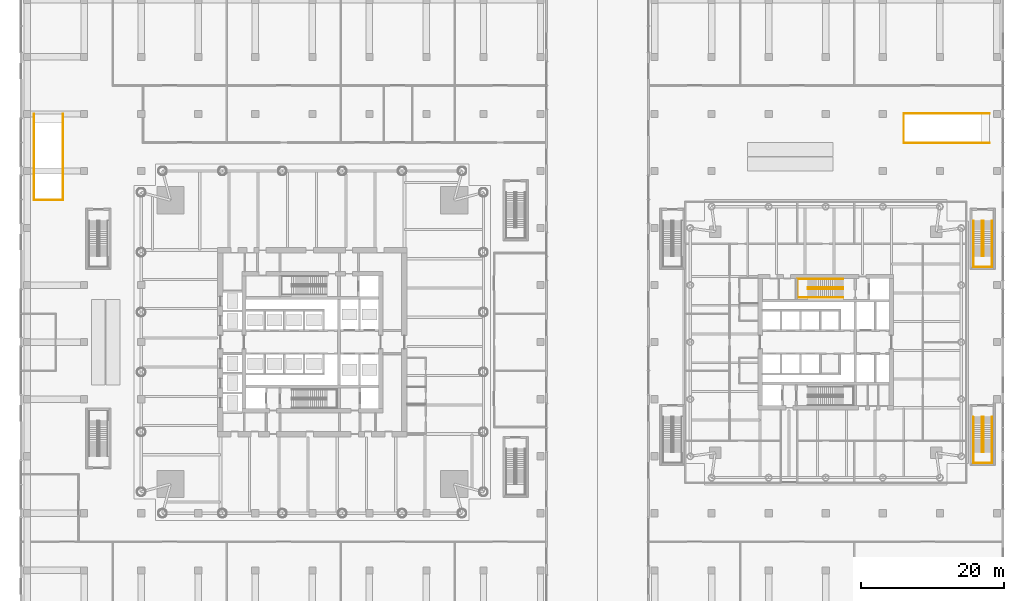
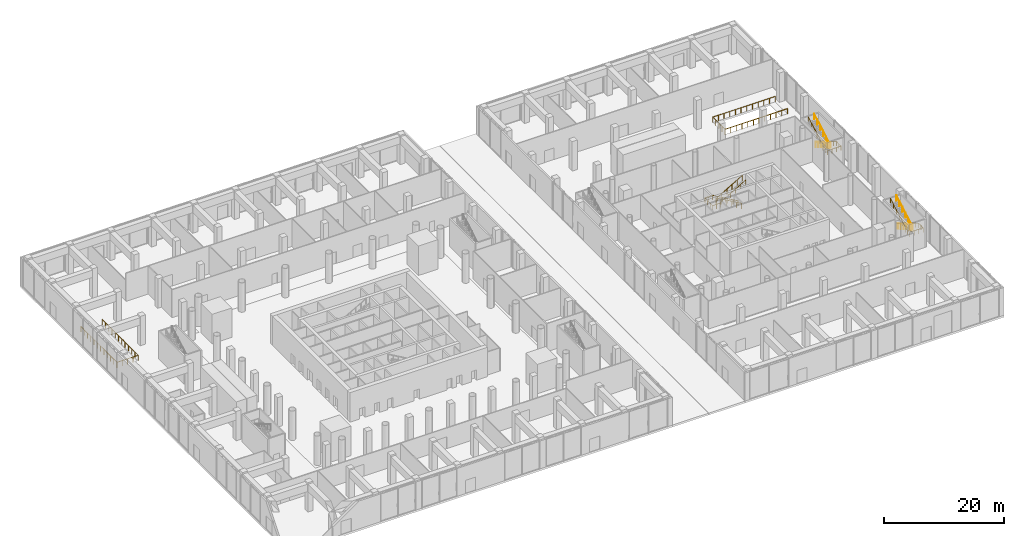
# One storey, part 38 of 39: 8 railings.
"""IFC4 building model written with IfcOpenShell, lengths in metres."""

from ifc_helpers import new_model, si_unit, direction, frame, origin, origin_2d, place, context, subcontext, project, spatial, circle, extrude, material, type_object, element, save


model = new_model("IFC4")

# Units and contexts
model_context = context("Model", 3, precision=1e-05, world=origin(), true_north=direction((0.0, 1.0)))
body_context = subcontext(model_context, "Body", "Model", "MODEL_VIEW")
ifc_project = project(units=[si_unit("LENGTHUNIT", "METRE"), si_unit("AREAUNIT", "SQUARE_METRE"), si_unit("VOLUMEUNIT", "CUBIC_METRE"), si_unit("PLANEANGLEUNIT", "RADIAN"), si_unit("MASSUNIT", "GRAM", prefix="KILO")], contexts=[model_context])

# Site, building, storey
site_placement = place(None, origin())
site = spatial("IfcSite", under=ifc_project, at=site_placement, CompositionType="ELEMENT")
building_placement = place(site_placement, origin())
building = spatial("IfcBuilding", under=site, at=building_placement, Name="Ostroluk Exchange", CompositionType="ELEMENT")
storey_placement = place(building_placement, origin())
storey = spatial("IfcBuildingStorey", under=building, at=storey_placement, Name="L00", CompositionType="ELEMENT", Elevation=0.0)

# Railings
ifc_material_1 = material(Name="Laminated glass", Category="glass")
railing_type_1 = type_object("IfcRailingType", Name="Glass balustrade guard 1100", PredefinedType="BALUSTRADE", material=ifc_material_1)
railing_1_placement = place(storey_placement, frame((5.949951171875, 78.0, 0.0)))
element("IfcRailing", 1, at=railing_1_placement, inside=storey, type_object=railing_type_1, Name="Escalator ES1 opening guard", PredefinedType="BALUSTRADE", context=body_context, shape_type="SweptSolid", body=[
    extrude(circle(Radius=0.02392578125, at=origin_2d()), frame((0.0, 0.0, 1.076171875), z_axis=(0.0, -1.0, 0.0), x_axis=(1.0, 0.0, 0.0)), (0.0, 0.0, 1.0), 12.050048828125),
    extrude(circle(Radius=0.02392578125, at=origin_2d()), frame((0.0, -12.050048828125, 1.076171875), z_axis=(1.0, 0.0, 0.0), x_axis=(0.0, 1.0, 0.0)), (0.0, 0.0, 1.0), 4.10009765625),
    extrude(circle(Radius=0.02392578125, at=origin_2d()), frame((4.10009765625, -12.050048828125, 1.076171875), z_axis=(0.0, 1.0, 0.0), x_axis=(-1.0, 0.0, 0.0)), (0.0, 0.0, 1.0), 12.050048828125),
    extrude(circle(Radius=0.02099609375, at=origin_2d()), origin(), (0.0, 0.0, 1.0), 1.052001953125),
    extrude(circle(Radius=0.02099609375, at=origin_2d()), frame((0.0, -1.095458984375, 0.0)), (0.0, 0.0, 1.0), 1.052001953125),
    extrude(circle(Radius=0.02099609375, at=origin_2d()), frame((0.0, -2.19091796875, 0.0)), (0.0, 0.0, 1.0), 1.052001953125),
    extrude(circle(Radius=0.02099609375, at=origin_2d()), frame((0.0, -3.286376953125, 0.0)), (0.0, 0.0, 1.0), 1.052001953125),
    extrude(circle(Radius=0.02099609375, at=origin_2d()), frame((0.0, -4.3818359375, 0.0)), (0.0, 0.0, 1.0), 1.052001953125),
    extrude(circle(Radius=0.02099609375, at=origin_2d()), frame((0.0, -5.477294921875, 0.0)), (0.0, 0.0, 1.0), 1.052001953125),
    extrude(circle(Radius=0.02099609375, at=origin_2d()), frame((0.0, -6.57275390625, 0.0)), (0.0, 0.0, 1.0), 1.052001953125),
    extrude(circle(Radius=0.02099609375, at=origin_2d()), frame((0.0, -7.668212890625, 0.0)), (0.0, 0.0, 1.0), 1.052001953125),
    extrude(circle(Radius=0.02099609375, at=origin_2d()), frame((0.0, -8.763671875, 0.0)), (0.0, 0.0, 1.0), 1.052001953125),
    extrude(circle(Radius=0.02099609375, at=origin_2d()), frame((0.0, -9.859130859375, 0.0)), (0.0, 0.0, 1.0), 1.052001953125),
    extrude(circle(Radius=0.02099609375, at=origin_2d()), frame((0.0, -10.95458984375, 0.0)), (0.0, 0.0, 1.0), 1.052001953125),
    extrude(circle(Radius=0.02099609375, at=origin_2d()), frame((0.0, -12.050048828125, 0.0)), (0.0, 0.0, 1.0), 1.052001953125),
    extrude(circle(Radius=0.02099609375, at=origin_2d()), frame((1.02490234375, -12.050048828125, 0.0)), (0.0, 0.0, 1.0), 1.052001953125),
    extrude(circle(Radius=0.02099609375, at=origin_2d()), frame((2.050048828125, -12.050048828125, 0.0)), (0.0, 0.0, 1.0), 1.052001953125),
    extrude(circle(Radius=0.02099609375, at=origin_2d()), frame((3.0751953125, -12.050048828125, 0.0)), (0.0, 0.0, 1.0), 1.052001953125),
    extrude(circle(Radius=0.02099609375, at=origin_2d()), frame((4.10009765625, -12.050048828125, 0.0)), (0.0, 0.0, 1.0), 1.052001953125),
    extrude(circle(Radius=0.02099609375, at=origin_2d()), frame((4.10009765625, -10.95458984375, 0.0)), (0.0, 0.0, 1.0), 1.052001953125),
    extrude(circle(Radius=0.02099609375, at=origin_2d()), frame((4.10009765625, -9.859130859375, 0.0)), (0.0, 0.0, 1.0), 1.052001953125),
    extrude(circle(Radius=0.02099609375, at=origin_2d()), frame((4.10009765625, -8.763671875, 0.0)), (0.0, 0.0, 1.0), 1.052001953125),
    extrude(circle(Radius=0.02099609375, at=origin_2d()), frame((4.10009765625, -7.668212890625, 0.0)), (0.0, 0.0, 1.0), 1.052001953125),
    extrude(circle(Radius=0.02099609375, at=origin_2d()), frame((4.10009765625, -6.57275390625, 0.0)), (0.0, 0.0, 1.0), 1.052001953125),
    extrude(circle(Radius=0.02099609375, at=origin_2d()), frame((4.10009765625, -5.477294921875, 0.0)), (0.0, 0.0, 1.0), 1.052001953125),
    extrude(circle(Radius=0.02099609375, at=origin_2d()), frame((4.10009765625, -4.3818359375, 0.0)), (0.0, 0.0, 1.0), 1.052001953125),
    extrude(circle(Radius=0.02099609375, at=origin_2d()), frame((4.10009765625, -3.286376953125, 0.0)), (0.0, 0.0, 1.0), 1.052001953125),
    extrude(circle(Radius=0.02099609375, at=origin_2d()), frame((4.10009765625, -2.19091796875, 0.0)), (0.0, 0.0, 1.0), 1.052001953125),
    extrude(circle(Radius=0.02099609375, at=origin_2d()), frame((4.10009765625, -1.095458984375, 0.0)), (0.0, 0.0, 1.0), 1.052001953125),
    extrude(circle(Radius=0.02099609375, at=origin_2d()), frame((4.10009765625, 0.0, 0.0)), (0.0, 0.0, 1.0), 1.052001953125),
])
railing_2_placement = place(storey_placement, frame((140.0, 73.949951171875, 0.0)))
element("IfcRailing", 2, at=railing_2_placement, inside=storey, type_object=railing_type_1, Name="Escalator ES4 opening guard", PredefinedType="BALUSTRADE", context=body_context, shape_type="SweptSolid", body=[
    extrude(circle(Radius=0.02392578125, at=origin_2d()), frame((0.0, 0.0, 1.076171875), z_axis=(-1.0, 0.0, 0.0), x_axis=(0.0, -1.0, 0.0)), (0.0, 0.0, 1.0), 12.050048828125),
    extrude(circle(Radius=0.02392578125, at=origin_2d()), frame((-12.050048828125, 0.0, 1.076171875), z_axis=(0.0, 1.0, 0.0), x_axis=(-1.0, 0.0, 0.0)), (0.0, 0.0, 1.0), 4.10009765625),
    extrude(circle(Radius=0.02392578125, at=origin_2d()), frame((-12.050048828125, 4.10009765625, 1.076171875), z_axis=(1.0, 0.0, 0.0), x_axis=(0.0, 1.0, 0.0)), (0.0, 0.0, 1.0), 12.050048828125),
    extrude(circle(Radius=0.02099609375, at=origin_2d()), origin(), (0.0, 0.0, 1.0), 1.052001953125),
    extrude(circle(Radius=0.02099609375, at=origin_2d()), frame((-1.095458984375, 0.0, 0.0)), (0.0, 0.0, 1.0), 1.052001953125),
    extrude(circle(Radius=0.02099609375, at=origin_2d()), frame((-2.19091796875, 0.0, 0.0)), (0.0, 0.0, 1.0), 1.052001953125),
    extrude(circle(Radius=0.02099609375, at=origin_2d()), frame((-3.286376953125, 0.0, 0.0)), (0.0, 0.0, 1.0), 1.052001953125),
    extrude(circle(Radius=0.02099609375, at=origin_2d()), frame((-4.3818359375, 0.0, 0.0)), (0.0, 0.0, 1.0), 1.052001953125),
    extrude(circle(Radius=0.02099609375, at=origin_2d()), frame((-5.477294921875, 0.0, 0.0)), (0.0, 0.0, 1.0), 1.052001953125),
    extrude(circle(Radius=0.02099609375, at=origin_2d()), frame((-6.57275390625, 0.0, 0.0)), (0.0, 0.0, 1.0), 1.052001953125),
    extrude(circle(Radius=0.02099609375, at=origin_2d()), frame((-7.668212890625, 0.0, 0.0)), (0.0, 0.0, 1.0), 1.052001953125),
    extrude(circle(Radius=0.02099609375, at=origin_2d()), frame((-8.763671875, 0.0, 0.0)), (0.0, 0.0, 1.0), 1.052001953125),
    extrude(circle(Radius=0.02099609375, at=origin_2d()), frame((-9.859130859375, 0.0, 0.0)), (0.0, 0.0, 1.0), 1.052001953125),
    extrude(circle(Radius=0.02099609375, at=origin_2d()), frame((-10.95458984375, 0.0, 0.0)), (0.0, 0.0, 1.0), 1.052001953125),
    extrude(circle(Radius=0.02099609375, at=origin_2d()), frame((-12.050048828125, 0.0, 0.0)), (0.0, 0.0, 1.0), 1.052001953125),
    extrude(circle(Radius=0.02099609375, at=origin_2d()), frame((-12.050048828125, 1.02490234375, 0.0)), (0.0, 0.0, 1.0), 1.052001953125),
    extrude(circle(Radius=0.02099609375, at=origin_2d()), frame((-12.050048828125, 2.050048828125, 0.0)), (0.0, 0.0, 1.0), 1.052001953125),
    extrude(circle(Radius=0.02099609375, at=origin_2d()), frame((-12.050048828125, 3.0751953125, 0.0)), (0.0, 0.0, 1.0), 1.052001953125),
    extrude(circle(Radius=0.02099609375, at=origin_2d()), frame((-12.050048828125, 4.10009765625, 0.0)), (0.0, 0.0, 1.0), 1.052001953125),
    extrude(circle(Radius=0.02099609375, at=origin_2d()), frame((-10.95458984375, 4.10009765625, 0.0)), (0.0, 0.0, 1.0), 1.052001953125),
    extrude(circle(Radius=0.02099609375, at=origin_2d()), frame((-9.859130859375, 4.10009765625, 0.0)), (0.0, 0.0, 1.0), 1.052001953125),
    extrude(circle(Radius=0.02099609375, at=origin_2d()), frame((-8.763671875, 4.10009765625, 0.0)), (0.0, 0.0, 1.0), 1.052001953125),
    extrude(circle(Radius=0.02099609375, at=origin_2d()), frame((-7.668212890625, 4.10009765625, 0.0)), (0.0, 0.0, 1.0), 1.052001953125),
    extrude(circle(Radius=0.02099609375, at=origin_2d()), frame((-6.57275390625, 4.10009765625, 0.0)), (0.0, 0.0, 1.0), 1.052001953125),
    extrude(circle(Radius=0.02099609375, at=origin_2d()), frame((-5.477294921875, 4.10009765625, 0.0)), (0.0, 0.0, 1.0), 1.052001953125),
    extrude(circle(Radius=0.02099609375, at=origin_2d()), frame((-4.3818359375, 4.10009765625, 0.0)), (0.0, 0.0, 1.0), 1.052001953125),
    extrude(circle(Radius=0.02099609375, at=origin_2d()), frame((-3.286376953125, 4.10009765625, 0.0)), (0.0, 0.0, 1.0), 1.052001953125),
    extrude(circle(Radius=0.02099609375, at=origin_2d()), frame((-2.19091796875, 4.10009765625, 0.0)), (0.0, 0.0, 1.0), 1.052001953125),
    extrude(circle(Radius=0.02099609375, at=origin_2d()), frame((-1.095458984375, 4.10009765625, 0.0)), (0.0, 0.0, 1.0), 1.052001953125),
    extrude(circle(Radius=0.02099609375, at=origin_2d()), frame((0.0, 4.10009765625, 0.0)), (0.0, 0.0, 1.0), 1.052001953125),
])
ifc_material_2 = material(Name="Steel S355", Category="steel")
railing_type_2 = type_object("IfcRailingType", Name="Stair guard 1100", PredefinedType="GUARDRAIL", material=ifc_material_2)
railing_3_placement = place(storey_placement, frame((119.429931640625, 53.679931640625, 0.166748046875)))
element("IfcRailing", 3, at=railing_3_placement, inside=storey, type_object=railing_type_2, Name="Stair T2-S2 guard L00", PredefinedType="GUARDRAIL", context=body_context, shape_type="SweptSolid", body=[
    extrude(circle(Radius=0.02392578125, at=origin_2d()), frame((0.0, 0.0, 1.076171875), z_axis=(-0.867017142139, 0.0, 0.498278311025), x_axis=(0.0, -1.0, 0.0)), (0.0, 0.0, 1.0), 5.68603515625),
    extrude(circle(Radius=0.02392578125, at=origin_2d()), frame((-4.929931640625, 0.0, 3.9091796875), z_axis=(0.0, -1.0, 0.0), x_axis=(1.0, 0.0, 0.0)), (0.0, 0.0, 1.0), 0.260009765625),
    extrude(circle(Radius=0.02392578125, at=origin_2d()), frame((-4.929931640625, -0.260009765625, 3.9091796875), z_axis=(0.0, 0.0, 1.0), x_axis=(1.0, 0.0, 0.0)), (0.0, 0.0, 1.0), 0.166748046875),
    extrude(circle(Radius=0.02392578125, at=origin_2d()), frame((-4.929931640625, -0.260009765625, 4.076171875), z_axis=(0.867017142139, 0.0, 0.498278311025), x_axis=(0.0, 1.0, 0.0)), (0.0, 0.0, 1.0), 5.68603515625),
    extrude(circle(Radius=0.02099609375, at=origin_2d()), origin(), (0.0, 0.0, 1.0), 1.052001953125),
    extrude(circle(Radius=0.02099609375, at=origin_2d()), frame((-0.986083984375, 0.0, 0.566650390625)), (0.0, 0.0, 1.0), 1.052001953125),
    extrude(circle(Radius=0.02099609375, at=origin_2d()), frame((-1.971923828125, 0.0, 1.13330078125)), (0.0, 0.0, 1.0), 1.052001953125),
    extrude(circle(Radius=0.02099609375, at=origin_2d()), frame((-2.9580078125, 0.0, 1.699951171875)), (0.0, 0.0, 1.0), 1.052001953125),
    extrude(circle(Radius=0.02099609375, at=origin_2d()), frame((-3.94384765625, 0.0, 2.2666015625)), (0.0, 0.0, 1.0), 1.052001953125),
    extrude(circle(Radius=0.02099609375, at=origin_2d()), frame((-4.929931640625, 0.0, 2.833251953125)), (0.0, 0.0, 1.0), 1.052001953125),
    extrude(circle(Radius=0.02099609375, at=origin_2d()), frame((-4.929931640625, -0.260009765625, 2.833251953125)), (0.0, 0.0, 1.0), 1.052001953125),
    extrude(circle(Radius=0.02099609375, at=origin_2d()), frame((-4.929931640625, -0.260009765625, 3.0)), (0.0, 0.0, 1.0), 1.052001953125),
    extrude(circle(Radius=0.02099609375, at=origin_2d()), frame((-3.94384765625, -0.260009765625, 3.566650390625)), (0.0, 0.0, 1.0), 1.052001953125),
    extrude(circle(Radius=0.02099609375, at=origin_2d()), frame((-2.9580078125, -0.260009765625, 4.13330078125)), (0.0, 0.0, 1.0), 1.052001953125),
    extrude(circle(Radius=0.02099609375, at=origin_2d()), frame((-1.971923828125, -0.260009765625, 4.699951171875)), (0.0, 0.0, 1.0), 1.052001953125),
    extrude(circle(Radius=0.02099609375, at=origin_2d()), frame((-0.986083984375, -0.260009765625, 5.2666015625)), (0.0, 0.0, 1.0), 1.052001953125),
    extrude(circle(Radius=0.02099609375, at=origin_2d()), frame((0.0, -0.260009765625, 5.833251953125)), (0.0, 0.0, 1.0), 1.052001953125),
])
railing_4_placement = place(storey_placement, frame((139.1298828125, 35.5, 0.166748046875)))
element("IfcRailing", 4, at=railing_4_placement, inside=storey, type_object=railing_type_2, Name="Stair PS7 guard L00", PredefinedType="GUARDRAIL", context=body_context, shape_type="SweptSolid", body=[
    extrude(circle(Radius=0.02392578125, at=origin_2d()), frame((0.0, 0.0, 1.076171875), z_axis=(0.0, -0.867017142139, 0.498278311025), x_axis=(1.0, 0.0, 0.0)), (0.0, 0.0, 1.0), 5.68603515625),
    extrude(circle(Radius=0.02392578125, at=origin_2d()), frame((0.0, -4.929931640625, 3.9091796875), z_axis=(-1.0, 0.0, 0.0), x_axis=(0.0, -1.0, 0.0)), (0.0, 0.0, 1.0), 0.259765625),
    extrude(circle(Radius=0.02392578125, at=origin_2d()), frame((-0.259765625, -4.929931640625, 3.9091796875), z_axis=(0.0, 0.0, 1.0), x_axis=(1.0, 0.0, 0.0)), (0.0, 0.0, 1.0), 0.166748046875),
    extrude(circle(Radius=0.02392578125, at=origin_2d()), frame((-0.259765625, -4.929931640625, 4.076171875), z_axis=(0.0, 0.867017142139, 0.498278311025), x_axis=(-1.0, 0.0, 0.0)), (0.0, 0.0, 1.0), 5.68603515625),
    extrude(circle(Radius=0.02099609375, at=origin_2d()), origin(), (0.0, 0.0, 1.0), 1.052001953125),
    extrude(circle(Radius=0.02099609375, at=origin_2d()), frame((0.0, -0.986083984375, 0.566650390625)), (0.0, 0.0, 1.0), 1.052001953125),
    extrude(circle(Radius=0.02099609375, at=origin_2d()), frame((0.0, -1.971923828125, 1.13330078125)), (0.0, 0.0, 1.0), 1.052001953125),
    extrude(circle(Radius=0.02099609375, at=origin_2d()), frame((0.0, -2.9580078125, 1.699951171875)), (0.0, 0.0, 1.0), 1.052001953125),
    extrude(circle(Radius=0.02099609375, at=origin_2d()), frame((0.0, -3.94384765625, 2.2666015625)), (0.0, 0.0, 1.0), 1.052001953125),
    extrude(circle(Radius=0.02099609375, at=origin_2d()), frame((0.0, -4.929931640625, 2.833251953125)), (0.0, 0.0, 1.0), 1.052001953125),
    extrude(circle(Radius=0.02099609375, at=origin_2d()), frame((-0.259765625, -4.929931640625, 2.833251953125)), (0.0, 0.0, 1.0), 1.052001953125),
    extrude(circle(Radius=0.02099609375, at=origin_2d()), frame((-0.259765625, -4.929931640625, 3.0)), (0.0, 0.0, 1.0), 1.052001953125),
    extrude(circle(Radius=0.02099609375, at=origin_2d()), frame((-0.259765625, -3.94384765625, 3.566650390625)), (0.0, 0.0, 1.0), 1.052001953125),
    extrude(circle(Radius=0.02099609375, at=origin_2d()), frame((-0.259765625, -2.9580078125, 4.13330078125)), (0.0, 0.0, 1.0), 1.052001953125),
    extrude(circle(Radius=0.02099609375, at=origin_2d()), frame((-0.259765625, -1.971923828125, 4.699951171875)), (0.0, 0.0, 1.0), 1.052001953125),
    extrude(circle(Radius=0.02099609375, at=origin_2d()), frame((-0.259765625, -0.986083984375, 5.2666015625)), (0.0, 0.0, 1.0), 1.052001953125),
    extrude(circle(Radius=0.02099609375, at=origin_2d()), frame((-0.259765625, 0.0, 5.833251953125)), (0.0, 0.0, 1.0), 1.052001953125),
])
railing_5_placement = place(storey_placement, frame((139.1298828125, 63.0, 0.166748046875)))
element("IfcRailing", 5, at=railing_5_placement, inside=storey, type_object=railing_type_2, Name="Stair PS8 guard L00", PredefinedType="GUARDRAIL", context=body_context, shape_type="SweptSolid", body=[
    extrude(circle(Radius=0.02392578125, at=origin_2d()), frame((0.0, 0.0, 1.076171875), z_axis=(0.0, -0.867017142139, 0.498278311025), x_axis=(1.0, 0.0, 0.0)), (0.0, 0.0, 1.0), 5.68603515625),
    extrude(circle(Radius=0.02392578125, at=origin_2d()), frame((0.0, -4.929931640625, 3.9091796875), z_axis=(-1.0, 0.0, 0.0), x_axis=(0.0, -1.0, 0.0)), (0.0, 0.0, 1.0), 0.259765625),
    extrude(circle(Radius=0.02392578125, at=origin_2d()), frame((-0.259765625, -4.929931640625, 3.9091796875), z_axis=(0.0, 0.0, 1.0), x_axis=(1.0, 0.0, 0.0)), (0.0, 0.0, 1.0), 0.166748046875),
    extrude(circle(Radius=0.02392578125, at=origin_2d()), frame((-0.259765625, -4.929931640625, 4.076171875), z_axis=(0.0, 0.867017142139, 0.498278311025), x_axis=(-1.0, 0.0, 0.0)), (0.0, 0.0, 1.0), 5.68603515625),
    extrude(circle(Radius=0.02099609375, at=origin_2d()), origin(), (0.0, 0.0, 1.0), 1.052001953125),
    extrude(circle(Radius=0.02099609375, at=origin_2d()), frame((0.0, -0.986083984375, 0.566650390625)), (0.0, 0.0, 1.0), 1.052001953125),
    extrude(circle(Radius=0.02099609375, at=origin_2d()), frame((0.0, -1.971923828125, 1.13330078125)), (0.0, 0.0, 1.0), 1.052001953125),
    extrude(circle(Radius=0.02099609375, at=origin_2d()), frame((0.0, -2.9580078125, 1.699951171875)), (0.0, 0.0, 1.0), 1.052001953125),
    extrude(circle(Radius=0.02099609375, at=origin_2d()), frame((0.0, -3.94384765625, 2.2666015625)), (0.0, 0.0, 1.0), 1.052001953125),
    extrude(circle(Radius=0.02099609375, at=origin_2d()), frame((0.0, -4.929931640625, 2.833251953125)), (0.0, 0.0, 1.0), 1.052001953125),
    extrude(circle(Radius=0.02099609375, at=origin_2d()), frame((-0.259765625, -4.929931640625, 2.833251953125)), (0.0, 0.0, 1.0), 1.052001953125),
    extrude(circle(Radius=0.02099609375, at=origin_2d()), frame((-0.259765625, -4.929931640625, 3.0)), (0.0, 0.0, 1.0), 1.052001953125),
    extrude(circle(Radius=0.02099609375, at=origin_2d()), frame((-0.259765625, -3.94384765625, 3.566650390625)), (0.0, 0.0, 1.0), 1.052001953125),
    extrude(circle(Radius=0.02099609375, at=origin_2d()), frame((-0.259765625, -2.9580078125, 4.13330078125)), (0.0, 0.0, 1.0), 1.052001953125),
    extrude(circle(Radius=0.02099609375, at=origin_2d()), frame((-0.259765625, -1.971923828125, 4.699951171875)), (0.0, 0.0, 1.0), 1.052001953125),
    extrude(circle(Radius=0.02099609375, at=origin_2d()), frame((-0.259765625, -0.986083984375, 5.2666015625)), (0.0, 0.0, 1.0), 1.052001953125),
    extrude(circle(Radius=0.02099609375, at=origin_2d()), frame((-0.259765625, 0.0, 5.833251953125)), (0.0, 0.0, 1.0), 1.052001953125),
])
ifc_material_3 = material(Name="Stainless steel", Category="steel")
railing_type_3 = type_object("IfcRailingType", Name="Stair handrail 900", PredefinedType="HANDRAIL", material=ifc_material_3)
railing_6_placement = place(storey_placement, frame((119.429931640625, 54.85009765625, 0.166748046875)))
element("IfcRailing", 6, at=railing_6_placement, inside=storey, type_object=railing_type_3, Name="Stair T2-S2 handrail L00", PredefinedType="HANDRAIL", context=body_context, shape_type="SweptSolid", body=[
    extrude(circle(Radius=0.02392578125, at=origin_2d()), frame((0.0, 0.0, 0.8759765625), z_axis=(-0.867017142139, 0.0, 0.498278311025), x_axis=(0.0, -1.0, 0.0)), (0.0, 0.0, 1.0), 5.68603515625),
    extrude(circle(Radius=0.02392578125, at=origin_2d()), frame((-4.929931640625, 0.0, 3.708984375), z_axis=(-1.0, 0.0, 0.0), x_axis=(0.0, -1.0, 0.0)), (0.0, 0.0, 1.0), 1.449951171875),
    extrude(circle(Radius=0.02392578125, at=origin_2d()), frame((-6.3798828125, 0.0, 3.708984375), z_axis=(0.0, -1.0, 0.0), x_axis=(1.0, 0.0, 0.0)), (0.0, 0.0, 1.0), 2.60009765625),
    extrude(circle(Radius=0.02392578125, at=origin_2d()), frame((-6.3798828125, -2.60009765625, 3.708984375), z_axis=(1.0, 0.0, 0.0), x_axis=(0.0, 1.0, 0.0)), (0.0, 0.0, 1.0), 1.449951171875),
    extrude(circle(Radius=0.02392578125, at=origin_2d()), frame((-4.929931640625, -2.60009765625, 3.708984375), z_axis=(0.0, 0.0, 1.0), x_axis=(1.0, 0.0, 0.0)), (0.0, 0.0, 1.0), 0.166748046875),
    extrude(circle(Radius=0.02392578125, at=origin_2d()), frame((-4.929931640625, -2.60009765625, 3.8759765625), z_axis=(0.867017142139, 0.0, 0.498278311025), x_axis=(0.0, 1.0, 0.0)), (0.0, 0.0, 1.0), 5.68603515625),
    extrude(circle(Radius=0.02099609375, at=origin_2d()), origin(), (0.0, 0.0, 1.0), 0.851806640625),
    extrude(circle(Radius=0.02099609375, at=origin_2d()), frame((-0.986083984375, 0.0, 0.566650390625)), (0.0, 0.0, 1.0), 0.851806640625),
    extrude(circle(Radius=0.02099609375, at=origin_2d()), frame((-1.971923828125, 0.0, 1.13330078125)), (0.0, 0.0, 1.0), 0.851806640625),
    extrude(circle(Radius=0.02099609375, at=origin_2d()), frame((-2.9580078125, 0.0, 1.699951171875)), (0.0, 0.0, 1.0), 0.851806640625),
    extrude(circle(Radius=0.02099609375, at=origin_2d()), frame((-3.94384765625, 0.0, 2.2666015625)), (0.0, 0.0, 1.0), 0.851806640625),
    extrude(circle(Radius=0.02099609375, at=origin_2d()), frame((-4.929931640625, 0.0, 2.833251953125)), (0.0, 0.0, 1.0), 0.851806640625),
    extrude(circle(Radius=0.02099609375, at=origin_2d()), frame((-5.65478515625, 0.0, 2.833251953125)), (0.0, 0.0, 1.0), 0.851806640625),
    extrude(circle(Radius=0.02099609375, at=origin_2d()), frame((-6.3798828125, 0.0, 2.833251953125)), (0.0, 0.0, 1.0), 0.851806640625),
    extrude(circle(Radius=0.02099609375, at=origin_2d()), frame((-6.3798828125, -0.86669921875, 2.833251953125)), (0.0, 0.0, 1.0), 0.851806640625),
    extrude(circle(Radius=0.02099609375, at=origin_2d()), frame((-6.3798828125, -1.7333984375, 2.833251953125)), (0.0, 0.0, 1.0), 0.851806640625),
    extrude(circle(Radius=0.02099609375, at=origin_2d()), frame((-6.3798828125, -2.60009765625, 2.833251953125)), (0.0, 0.0, 1.0), 0.851806640625),
    extrude(circle(Radius=0.02099609375, at=origin_2d()), frame((-5.65478515625, -2.60009765625, 2.833251953125)), (0.0, 0.0, 1.0), 0.851806640625),
    extrude(circle(Radius=0.02099609375, at=origin_2d()), frame((-4.929931640625, -2.60009765625, 2.833251953125)), (0.0, 0.0, 1.0), 0.851806640625),
    extrude(circle(Radius=0.02099609375, at=origin_2d()), frame((-4.929931640625, -2.60009765625, 3.0)), (0.0, 0.0, 1.0), 0.851806640625),
    extrude(circle(Radius=0.02099609375, at=origin_2d()), frame((-3.94384765625, -2.60009765625, 3.566650390625)), (0.0, 0.0, 1.0), 0.851806640625),
    extrude(circle(Radius=0.02099609375, at=origin_2d()), frame((-2.9580078125, -2.60009765625, 4.13330078125)), (0.0, 0.0, 1.0), 0.851806640625),
    extrude(circle(Radius=0.02099609375, at=origin_2d()), frame((-1.971923828125, -2.60009765625, 4.699951171875)), (0.0, 0.0, 1.0), 0.851806640625),
    extrude(circle(Radius=0.02099609375, at=origin_2d()), frame((-0.986083984375, -2.60009765625, 5.2666015625)), (0.0, 0.0, 1.0), 0.851806640625),
    extrude(circle(Radius=0.02099609375, at=origin_2d()), frame((0.0, -2.60009765625, 5.833251953125)), (0.0, 0.0, 1.0), 0.851806640625),
])
railing_7_placement = place(storey_placement, frame((140.300048828125, 35.5, 0.166748046875)))
element("IfcRailing", 7, at=railing_7_placement, inside=storey, type_object=railing_type_3, Name="Stair PS7 handrail L00", PredefinedType="HANDRAIL", context=body_context, shape_type="SweptSolid", body=[
    extrude(circle(Radius=0.02392578125, at=origin_2d()), frame((0.0, 0.0, 0.8759765625), z_axis=(0.0, -0.867017142139, 0.498278311025), x_axis=(1.0, 0.0, 0.0)), (0.0, 0.0, 1.0), 5.68603515625),
    extrude(circle(Radius=0.02392578125, at=origin_2d()), frame((0.0, -4.929931640625, 3.708984375), z_axis=(0.0, -1.0, 0.0), x_axis=(1.0, 0.0, 0.0)), (0.0, 0.0, 1.0), 1.52001953125),
    extrude(circle(Radius=0.02392578125, at=origin_2d()), frame((0.0, -6.449951171875, 3.708984375), z_axis=(-1.0, 0.0, 0.0), x_axis=(0.0, -1.0, 0.0)), (0.0, 0.0, 1.0), 2.60009765625),
    extrude(circle(Radius=0.02392578125, at=origin_2d()), frame((-2.60009765625, -6.449951171875, 3.708984375), z_axis=(0.0, 1.0, 0.0), x_axis=(-1.0, 0.0, 0.0)), (0.0, 0.0, 1.0), 1.52001953125),
    extrude(circle(Radius=0.02392578125, at=origin_2d()), frame((-2.60009765625, -4.929931640625, 3.708984375), z_axis=(0.0, 0.0, 1.0), x_axis=(1.0, 0.0, 0.0)), (0.0, 0.0, 1.0), 0.166748046875),
    extrude(circle(Radius=0.02392578125, at=origin_2d()), frame((-2.60009765625, -4.929931640625, 3.8759765625), z_axis=(0.0, 0.867017142139, 0.498278311025), x_axis=(-1.0, 0.0, 0.0)), (0.0, 0.0, 1.0), 5.68603515625),
    extrude(circle(Radius=0.02099609375, at=origin_2d()), origin(), (0.0, 0.0, 1.0), 0.851806640625),
    extrude(circle(Radius=0.02099609375, at=origin_2d()), frame((0.0, -0.986083984375, 0.566650390625)), (0.0, 0.0, 1.0), 0.851806640625),
    extrude(circle(Radius=0.02099609375, at=origin_2d()), frame((0.0, -1.971923828125, 1.13330078125)), (0.0, 0.0, 1.0), 0.851806640625),
    extrude(circle(Radius=0.02099609375, at=origin_2d()), frame((0.0, -2.9580078125, 1.699951171875)), (0.0, 0.0, 1.0), 0.851806640625),
    extrude(circle(Radius=0.02099609375, at=origin_2d()), frame((0.0, -3.94384765625, 2.2666015625)), (0.0, 0.0, 1.0), 0.851806640625),
    extrude(circle(Radius=0.02099609375, at=origin_2d()), frame((0.0, -4.929931640625, 2.833251953125)), (0.0, 0.0, 1.0), 0.851806640625),
    extrude(circle(Radius=0.02099609375, at=origin_2d()), frame((0.0, -5.68994140625, 2.833251953125)), (0.0, 0.0, 1.0), 0.851806640625),
    extrude(circle(Radius=0.02099609375, at=origin_2d()), frame((0.0, -6.449951171875, 2.833251953125)), (0.0, 0.0, 1.0), 0.851806640625),
    extrude(circle(Radius=0.02099609375, at=origin_2d()), frame((-0.86669921875, -6.449951171875, 2.833251953125)), (0.0, 0.0, 1.0), 0.851806640625),
    extrude(circle(Radius=0.02099609375, at=origin_2d()), frame((-1.7333984375, -6.449951171875, 2.833251953125)), (0.0, 0.0, 1.0), 0.851806640625),
    extrude(circle(Radius=0.02099609375, at=origin_2d()), frame((-2.60009765625, -6.449951171875, 2.833251953125)), (0.0, 0.0, 1.0), 0.851806640625),
    extrude(circle(Radius=0.02099609375, at=origin_2d()), frame((-2.60009765625, -5.68994140625, 2.833251953125)), (0.0, 0.0, 1.0), 0.851806640625),
    extrude(circle(Radius=0.02099609375, at=origin_2d()), frame((-2.60009765625, -4.929931640625, 2.833251953125)), (0.0, 0.0, 1.0), 0.851806640625),
    extrude(circle(Radius=0.02099609375, at=origin_2d()), frame((-2.60009765625, -4.929931640625, 3.0)), (0.0, 0.0, 1.0), 0.851806640625),
    extrude(circle(Radius=0.02099609375, at=origin_2d()), frame((-2.60009765625, -3.94384765625, 3.566650390625)), (0.0, 0.0, 1.0), 0.851806640625),
    extrude(circle(Radius=0.02099609375, at=origin_2d()), frame((-2.60009765625, -2.9580078125, 4.13330078125)), (0.0, 0.0, 1.0), 0.851806640625),
    extrude(circle(Radius=0.02099609375, at=origin_2d()), frame((-2.60009765625, -1.971923828125, 4.699951171875)), (0.0, 0.0, 1.0), 0.851806640625),
    extrude(circle(Radius=0.02099609375, at=origin_2d()), frame((-2.60009765625, -0.986083984375, 5.2666015625)), (0.0, 0.0, 1.0), 0.851806640625),
    extrude(circle(Radius=0.02099609375, at=origin_2d()), frame((-2.60009765625, 0.0, 5.833251953125)), (0.0, 0.0, 1.0), 0.851806640625),
])
railing_8_placement = place(storey_placement, frame((140.300048828125, 63.0, 0.166748046875)))
element("IfcRailing", 8, at=railing_8_placement, inside=storey, type_object=railing_type_3, Name="Stair PS8 handrail L00", PredefinedType="HANDRAIL", context=body_context, shape_type="SweptSolid", body=[
    extrude(circle(Radius=0.02392578125, at=origin_2d()), frame((0.0, 0.0, 0.8759765625), z_axis=(0.0, -0.867017142139, 0.498278311025), x_axis=(1.0, 0.0, 0.0)), (0.0, 0.0, 1.0), 5.68603515625),
    extrude(circle(Radius=0.02392578125, at=origin_2d()), frame((0.0, -4.929931640625, 3.708984375), z_axis=(0.0, -1.0, 0.0), x_axis=(1.0, 0.0, 0.0)), (0.0, 0.0, 1.0), 1.52001953125),
    extrude(circle(Radius=0.02392578125, at=origin_2d()), frame((0.0, -6.449951171875, 3.708984375), z_axis=(-1.0, 0.0, 0.0), x_axis=(0.0, -1.0, 0.0)), (0.0, 0.0, 1.0), 2.60009765625),
    extrude(circle(Radius=0.02392578125, at=origin_2d()), frame((-2.60009765625, -6.449951171875, 3.708984375), z_axis=(0.0, 1.0, 0.0), x_axis=(-1.0, 0.0, 0.0)), (0.0, 0.0, 1.0), 1.52001953125),
    extrude(circle(Radius=0.02392578125, at=origin_2d()), frame((-2.60009765625, -4.929931640625, 3.708984375), z_axis=(0.0, 0.0, 1.0), x_axis=(1.0, 0.0, 0.0)), (0.0, 0.0, 1.0), 0.166748046875),
    extrude(circle(Radius=0.02392578125, at=origin_2d()), frame((-2.60009765625, -4.929931640625, 3.8759765625), z_axis=(0.0, 0.867017142139, 0.498278311025), x_axis=(-1.0, 0.0, 0.0)), (0.0, 0.0, 1.0), 5.68603515625),
    extrude(circle(Radius=0.02099609375, at=origin_2d()), origin(), (0.0, 0.0, 1.0), 0.851806640625),
    extrude(circle(Radius=0.02099609375, at=origin_2d()), frame((0.0, -0.986083984375, 0.566650390625)), (0.0, 0.0, 1.0), 0.851806640625),
    extrude(circle(Radius=0.02099609375, at=origin_2d()), frame((0.0, -1.971923828125, 1.13330078125)), (0.0, 0.0, 1.0), 0.851806640625),
    extrude(circle(Radius=0.02099609375, at=origin_2d()), frame((0.0, -2.9580078125, 1.699951171875)), (0.0, 0.0, 1.0), 0.851806640625),
    extrude(circle(Radius=0.02099609375, at=origin_2d()), frame((0.0, -3.94384765625, 2.2666015625)), (0.0, 0.0, 1.0), 0.851806640625),
    extrude(circle(Radius=0.02099609375, at=origin_2d()), frame((0.0, -4.929931640625, 2.833251953125)), (0.0, 0.0, 1.0), 0.851806640625),
    extrude(circle(Radius=0.02099609375, at=origin_2d()), frame((0.0, -5.68994140625, 2.833251953125)), (0.0, 0.0, 1.0), 0.851806640625),
    extrude(circle(Radius=0.02099609375, at=origin_2d()), frame((0.0, -6.449951171875, 2.833251953125)), (0.0, 0.0, 1.0), 0.851806640625),
    extrude(circle(Radius=0.02099609375, at=origin_2d()), frame((-0.86669921875, -6.449951171875, 2.833251953125)), (0.0, 0.0, 1.0), 0.851806640625),
    extrude(circle(Radius=0.02099609375, at=origin_2d()), frame((-1.7333984375, -6.449951171875, 2.833251953125)), (0.0, 0.0, 1.0), 0.851806640625),
    extrude(circle(Radius=0.02099609375, at=origin_2d()), frame((-2.60009765625, -6.449951171875, 2.833251953125)), (0.0, 0.0, 1.0), 0.851806640625),
    extrude(circle(Radius=0.02099609375, at=origin_2d()), frame((-2.60009765625, -5.68994140625, 2.833251953125)), (0.0, 0.0, 1.0), 0.851806640625),
    extrude(circle(Radius=0.02099609375, at=origin_2d()), frame((-2.60009765625, -4.929931640625, 2.833251953125)), (0.0, 0.0, 1.0), 0.851806640625),
    extrude(circle(Radius=0.02099609375, at=origin_2d()), frame((-2.60009765625, -4.929931640625, 3.0)), (0.0, 0.0, 1.0), 0.851806640625),
    extrude(circle(Radius=0.02099609375, at=origin_2d()), frame((-2.60009765625, -3.94384765625, 3.566650390625)), (0.0, 0.0, 1.0), 0.851806640625),
    extrude(circle(Radius=0.02099609375, at=origin_2d()), frame((-2.60009765625, -2.9580078125, 4.13330078125)), (0.0, 0.0, 1.0), 0.851806640625),
    extrude(circle(Radius=0.02099609375, at=origin_2d()), frame((-2.60009765625, -1.971923828125, 4.699951171875)), (0.0, 0.0, 1.0), 0.851806640625),
    extrude(circle(Radius=0.02099609375, at=origin_2d()), frame((-2.60009765625, -0.986083984375, 5.2666015625)), (0.0, 0.0, 1.0), 0.851806640625),
    extrude(circle(Radius=0.02099609375, at=origin_2d()), frame((-2.60009765625, 0.0, 5.833251953125)), (0.0, 0.0, 1.0), 0.851806640625),
])

save(model, "model.ifc")
